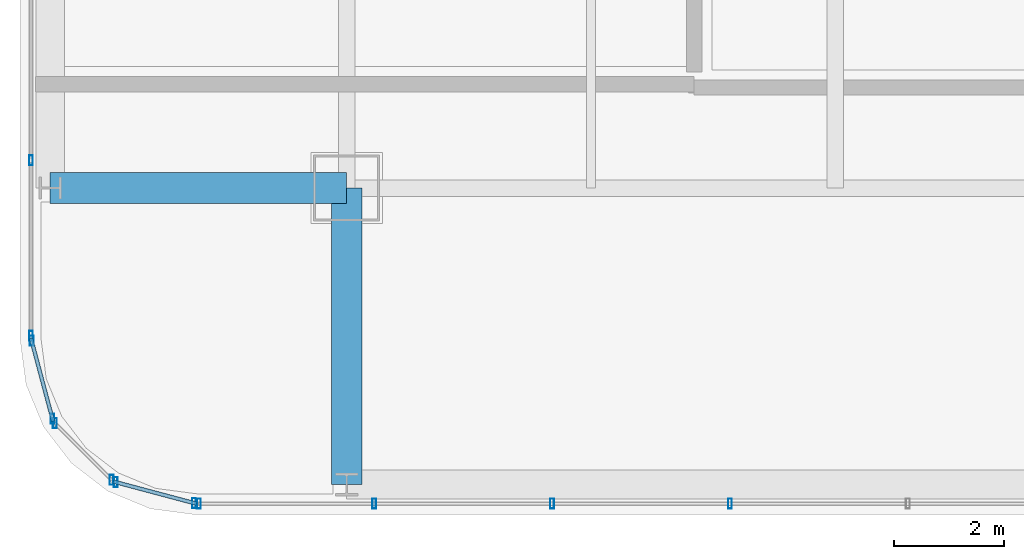
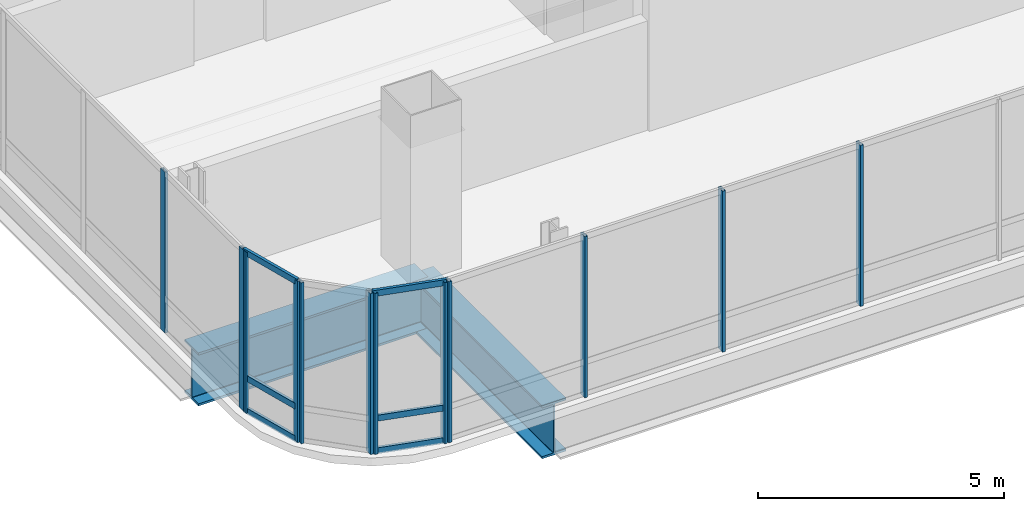
# One storey, part 2 of 42: 18 members, 2 beams, 5 elements without a shape of their own.
"""IFC4 building model written with IfcOpenShell, lengths in metres."""

from ifc_helpers import new_model, si_unit, direction, frame, origin, origin_2d, place, context, subcontext, project, spatial, hollow_rectangle, i_section, extrude, material, material_profile, profile_set, type_object, element, aggregate, save


model = new_model("IFC4")

# Units and contexts
model_context = context("Model", 3, precision=1e-05, world=origin(), true_north=direction((0.0, 1.0)))
body_context = subcontext(model_context, "Body", "Model", "MODEL_VIEW")
ifc_project = project(units=[si_unit("LENGTHUNIT", "METRE"), si_unit("AREAUNIT", "SQUARE_METRE"), si_unit("VOLUMEUNIT", "CUBIC_METRE"), si_unit("PLANEANGLEUNIT", "RADIAN"), si_unit("MASSUNIT", "GRAM", prefix="KILO")], contexts=[model_context])

# Site, building, storey
site_placement = place(None, origin())
site = spatial("IfcSite", under=ifc_project, at=site_placement, CompositionType="ELEMENT")
building_placement = place(site_placement, origin())
building = spatial("IfcBuilding", under=site, at=building_placement, Name="Punatoya Terracotta Tower", CompositionType="ELEMENT")
storey_placement = place(building_placement, frame((0.0, 0.0, 325.800048828125)))
storey = spatial("IfcBuildingStorey", under=building, at=storey_placement, Name="L77", CompositionType="ELEMENT", Elevation=325.800048828125)

# Beams
ifc_material_1 = material(Name="Steel S460", Category="steel")
ifc_material_profile_1 = material_profile(ifc_material_1, i_section(OverallWidth=0.56005859375, OverallDepth=1.320068359375, WebThickness=0.035888671875, FlangeThickness=0.054931640625, FilletRadius=0.01806640625, at=origin_2d()))
ifc_profile_set_1 = profile_set([ifc_material_profile_1], Name="Steel S460")
beam_type = type_object("IfcBeamType", Name="BM-TG-BLK", PredefinedType="BEAM", material=ifc_profile_set_1)
for number, where, z_axis, x_axis, name in (
    (1, (-24.5, -17.5, -0.860107421875), (1.0, 0.0, 0.0), (0.0, 1.0, 0.0), "BM-L77-CANT-W1"),
    (2, (-19.10009765625, -22.89990234375, -0.860107421875), (0.0, 1.0, 0.0), (-1.0, 0.0, 0.0), "BM-L77-CANT-S1"),
):
    element("IfcBeam", number, at=place(storey_placement, frame(where, z_axis=z_axis, x_axis=x_axis)), inside=storey, type_object=beam_type, Name=name, PredefinedType="BEAM", context=body_context, shape_type="SweptSolid", body=[
        extrude(i_section(OverallWidth=0.56005859375, OverallDepth=1.320068359375, WebThickness=0.035888671875, FlangeThickness=0.054931640625, FilletRadius=0.01806640625, at=origin_2d()), origin(), (0.0, 0.0, 1.0), 5.39990234375),
    ])

# Curtain wall, members
ifc_material_2 = material(Name="Aluminium 6063-T6 + Double Low-E Glass", Category="aluminium")
curtain_wall_type = type_object("IfcCurtainWallType", Name="CW-OBS", PredefinedType="NOTDEFINED", material=ifc_material_2)
curtain_wall_1_placement = place(storey_placement, origin())
curtain_wall_1 = element("IfcCurtainWall", 3, at=curtain_wall_1_placement, inside=storey, type_object=curtain_wall_type, Name="L77 Curtain Wall CW-L77-S01-1", PredefinedType="NOTDEFINED")
ifc_material_3 = material(Name="Aluminium 6063-T6", Category="aluminium")
ifc_material_profile_2 = material_profile(ifc_material_3, hollow_rectangle(XDim=0.070068359375, YDim=0.179931640625, WallThickness=0.00390625, at=origin_2d()))
ifc_profile_set_2 = profile_set([ifc_material_profile_2], Name="Aluminium 6063-T6")
member_type_1 = type_object("IfcMemberType", Name="CW-MUL-M3", PredefinedType="MULLION", material=ifc_profile_set_2)
member_1_placement = place(storey_placement, frame((-21.7919921875, -23.25, 0.0), z_axis=(0.0, 0.0, 1.0), x_axis=(1.0, 0.0, 0.0)))
member_1 = element("IfcMember", 4, at=member_1_placement, type_object=member_type_1, Name="CW-L77-S01-1 Mullion 00", PredefinedType="MULLION", context=body_context, shape_type="SweptSolid", body=[
    extrude(hollow_rectangle(XDim=0.070068359375, YDim=0.179931640625, WallThickness=0.00390625, at=origin_2d()), origin(), (0.0, 0.0, 1.0), 4.0),
])
member_2_placement = place(storey_placement, frame((-18.597412109375, -23.25, 0.0), z_axis=(0.0, 0.0, 1.0), x_axis=(1.0, 0.0, 0.0)))
member_2 = element("IfcMember", 5, at=member_2_placement, type_object=member_type_1, Name="CW-L77-S01-1 Mullion 01", PredefinedType="MULLION", context=body_context, shape_type="SweptSolid", body=[
    extrude(hollow_rectangle(XDim=0.070068359375, YDim=0.179931640625, WallThickness=0.00390625, at=origin_2d()), origin(), (0.0, 0.0, 1.0), 4.0),
])
member_3_placement = place(storey_placement, frame((-15.35791015625, -23.25, 0.0), z_axis=(0.0, 0.0, 1.0), x_axis=(1.0, 0.0, 0.0)))
member_3 = element("IfcMember", 6, at=member_3_placement, type_object=member_type_1, Name="CW-L77-S01-1 Mullion 02", PredefinedType="MULLION", context=body_context, shape_type="SweptSolid", body=[
    extrude(hollow_rectangle(XDim=0.070068359375, YDim=0.179931640625, WallThickness=0.00390625, at=origin_2d()), origin(), (0.0, 0.0, 1.0), 4.0),
])
member_4_placement = place(storey_placement, frame((-12.118408203125, -23.25, 0.0), z_axis=(0.0, 0.0, 1.0), x_axis=(1.0, 0.0, 0.0)))
member_4 = element("IfcMember", 7, at=member_4_placement, type_object=member_type_1, Name="CW-L77-S01-1 Mullion 03", PredefinedType="MULLION", context=body_context, shape_type="SweptSolid", body=[
    extrude(hollow_rectangle(XDim=0.070068359375, YDim=0.179931640625, WallThickness=0.00390625, at=origin_2d()), origin(), (0.0, 0.0, 1.0), 4.0),
])
aggregate(curtain_wall_1, [member_1, member_2, member_3, member_4])

curtain_wall_2_placement = place(storey_placement, origin())
curtain_wall_2 = element("IfcCurtainWall", 8, at=curtain_wall_2_placement, inside=storey, type_object=curtain_wall_type, Name="L77 Curtain Wall CW-L77-W13-1", PredefinedType="NOTDEFINED")
member_5_placement = place(storey_placement, frame((-24.85009765625, -16.993896484375, 0.0), z_axis=(0.0, 0.0, 1.0), x_axis=(1.0, 0.0, 0.0)))
member_5 = element("IfcMember", 9, at=member_5_placement, type_object=member_type_1, Name="CW-L77-W13-1 Mullion 10", PredefinedType="MULLION", context=body_context, shape_type="SweptSolid", body=[
    extrude(hollow_rectangle(XDim=0.070068359375, YDim=0.179931640625, WallThickness=0.00390625, at=origin_2d()), origin(), (0.0, 0.0, 1.0), 4.0),
])
member_6_placement = place(storey_placement, frame((-24.85009765625, -20.19189453125, 0.0), z_axis=(0.0, 0.0, 1.0), x_axis=(1.0, 0.0, 0.0)))
member_6 = element("IfcMember", 10, at=member_6_placement, type_object=member_type_1, Name="CW-L77-W13-1 Mullion 11", PredefinedType="MULLION", context=body_context, shape_type="SweptSolid", body=[
    extrude(hollow_rectangle(XDim=0.070068359375, YDim=0.179931640625, WallThickness=0.00390625, at=origin_2d()), origin(), (0.0, 0.0, 1.0), 4.0),
])
aggregate(curtain_wall_2, [member_5, member_6])

curtain_wall_3_placement = place(storey_placement, origin())
curtain_wall_3 = element("IfcCurtainWall", 11, at=curtain_wall_3_placement, inside=storey, type_object=curtain_wall_type, Name="L77 Curtain Wall CW-L77-CRN14", PredefinedType="NOTDEFINED")
member_7_placement = place(storey_placement, frame((-24.83837890625, -20.280517578125, 0.0), z_axis=(0.0, 0.0, 1.0), x_axis=(1.0, 0.0, 0.0)))
member_7 = element("IfcMember", 12, at=member_7_placement, type_object=member_type_1, Name="CW-L77-CRN14 Mullion 00", PredefinedType="MULLION", context=body_context, shape_type="SweptSolid", body=[
    extrude(hollow_rectangle(XDim=0.070068359375, YDim=0.179931640625, WallThickness=0.00390625, at=origin_2d()), origin(), (0.0, 0.0, 1.0), 4.0),
])
member_8_placement = place(storey_placement, frame((-24.458251953125, -21.70556640625, 0.0), z_axis=(0.0, 0.0, 1.0), x_axis=(1.0, 0.0, 0.0)))
member_8 = element("IfcMember", 13, at=member_8_placement, type_object=member_type_1, Name="CW-L77-CRN14 Mullion 01", PredefinedType="MULLION", context=body_context, shape_type="SweptSolid", body=[
    extrude(hollow_rectangle(XDim=0.070068359375, YDim=0.179931640625, WallThickness=0.00390625, at=origin_2d()), origin(), (0.0, 0.0, 1.0), 4.0),
])

curtain_wall_4_placement = place(storey_placement, origin())
curtain_wall_4 = element("IfcCurtainWall", 14, at=curtain_wall_4_placement, inside=storey, type_object=curtain_wall_type, Name="L77 Curtain Wall CW-L77-CRN15", PredefinedType="NOTDEFINED")
member_9_placement = place(storey_placement, frame((-24.414794921875, -21.781005859375, 0.0), z_axis=(0.0, 0.0, 1.0), x_axis=(1.0, 0.0, 0.0)))
member_9 = element("IfcMember", 15, at=member_9_placement, type_object=member_type_1, Name="CW-L77-CRN15 Mullion 00", PredefinedType="MULLION", context=body_context, shape_type="SweptSolid", body=[
    extrude(hollow_rectangle(XDim=0.070068359375, YDim=0.179931640625, WallThickness=0.00390625, at=origin_2d()), origin(), (0.0, 0.0, 1.0), 4.0),
])
member_10_placement = place(storey_placement, frame((-23.380859375, -22.814697265625, 0.0), z_axis=(0.0, 0.0, 1.0), x_axis=(1.0, 0.0, 0.0)))
member_10 = element("IfcMember", 16, at=member_10_placement, type_object=member_type_1, Name="CW-L77-CRN15 Mullion 01", PredefinedType="MULLION", context=body_context, shape_type="SweptSolid", body=[
    extrude(hollow_rectangle(XDim=0.070068359375, YDim=0.179931640625, WallThickness=0.00390625, at=origin_2d()), origin(), (0.0, 0.0, 1.0), 4.0),
])
aggregate(curtain_wall_4, [member_9, member_10])

curtain_wall_5_placement = place(storey_placement, origin())
curtain_wall_5 = element("IfcCurtainWall", 17, at=curtain_wall_5_placement, inside=storey, type_object=curtain_wall_type, Name="L77 Curtain Wall CW-L77-CRN16", PredefinedType="NOTDEFINED")
member_11_placement = place(storey_placement, frame((-23.3056640625, -22.858154296875, 0.0), z_axis=(0.0, 0.0, 1.0), x_axis=(1.0, 0.0, 0.0)))
member_11 = element("IfcMember", 18, at=member_11_placement, type_object=member_type_1, Name="CW-L77-CRN16 Mullion 00", PredefinedType="MULLION", context=body_context, shape_type="SweptSolid", body=[
    extrude(hollow_rectangle(XDim=0.070068359375, YDim=0.179931640625, WallThickness=0.00390625, at=origin_2d()), origin(), (0.0, 0.0, 1.0), 4.0),
])
member_12_placement = place(storey_placement, frame((-21.88037109375, -23.23828125, 0.0), z_axis=(0.0, 0.0, 1.0), x_axis=(1.0, 0.0, 0.0)))
member_12 = element("IfcMember", 19, at=member_12_placement, type_object=member_type_1, Name="CW-L77-CRN16 Mullion 01", PredefinedType="MULLION", context=body_context, shape_type="SweptSolid", body=[
    extrude(hollow_rectangle(XDim=0.070068359375, YDim=0.179931640625, WallThickness=0.00390625, at=origin_2d()), origin(), (0.0, 0.0, 1.0), 4.0),
])

# Member
ifc_material_profile_3 = material_profile(ifc_material_3, hollow_rectangle(XDim=0.068115234375, YDim=0.14990234375, WallThickness=0.00390625, at=origin_2d()))
ifc_profile_set_3 = profile_set([ifc_material_profile_3], Name="Aluminium 6063-T6")
member_type_2 = type_object("IfcMemberType", Name="CW-TRN-TYP", PredefinedType="USERDEFINED", material=ifc_profile_set_3)
member_13_placement = place(storey_placement, frame((-24.85009765625, -20.23681640625, 0.0400390625), z_axis=(0.257847112249, -0.966185730957, 0.0), x_axis=(0.966185730957, 0.257847112249, 0.0)))
member_13 = element("IfcMember", 20, at=member_13_placement, type_object=member_type_2, Name="CW-L77-CRN14 Transom 1", ObjectType="TRANSOM", PredefinedType="USERDEFINED", context=body_context, shape_type="SweptSolid", body=[
    extrude(hollow_rectangle(XDim=0.068115234375, YDim=0.14990234375, WallThickness=0.00390625, at=origin_2d()), origin(), (0.0, 0.0, 1.0), 1.565185546875),
])

member_14_placement = place(storey_placement, frame((-24.85009765625, -20.23681640625, 0.849853515625), z_axis=(0.257847112249, -0.966185730957, 0.0), x_axis=(0.966185730957, 0.257847112249, 0.0)))
member_14 = element("IfcMember", 21, at=member_14_placement, type_object=member_type_2, Name="CW-L77-CRN14 Transom 2", ObjectType="TRANSOM", PredefinedType="USERDEFINED", context=body_context, shape_type="SweptSolid", body=[
    extrude(hollow_rectangle(XDim=0.068115234375, YDim=0.14990234375, WallThickness=0.00390625, at=origin_2d()), origin(), (0.0, 0.0, 1.0), 1.565185546875),
])

member_15_placement = place(storey_placement, frame((-24.85009765625, -20.23681640625, 3.9599609375), z_axis=(0.257847112249, -0.966185730957, 0.0), x_axis=(0.966185730957, 0.257847112249, 0.0)))
member_15 = element("IfcMember", 22, at=member_15_placement, type_object=member_type_2, Name="CW-L77-CRN14 Transom 3", ObjectType="TRANSOM", PredefinedType="USERDEFINED", context=body_context, shape_type="SweptSolid", body=[
    extrude(hollow_rectangle(XDim=0.068115234375, YDim=0.14990234375, WallThickness=0.00390625, at=origin_2d()), origin(), (0.0, 0.0, 1.0), 1.565185546875),
])

aggregate(curtain_wall_3, [member_7, member_8, member_13, member_14, member_15])

member_16_placement = place(storey_placement, frame((-23.34912109375, -22.8466796875, 0.0400390625), z_axis=(0.966224582397, -0.257701486942, 0.0), x_axis=(0.257701486942, 0.966224582397, 0.0)))
member_16 = element("IfcMember", 23, at=member_16_placement, type_object=member_type_2, Name="CW-L77-CRN16 Transom 1", ObjectType="TRANSOM", PredefinedType="USERDEFINED", context=body_context, shape_type="SweptSolid", body=[
    extrude(hollow_rectangle(XDim=0.068115234375, YDim=0.14990234375, WallThickness=0.00390625, at=origin_2d()), origin(), (0.0, 0.0, 1.0), 1.565185546875),
])

member_17_placement = place(storey_placement, frame((-23.34912109375, -22.8466796875, 0.849853515625), z_axis=(0.966224582397, -0.257701486942, 0.0), x_axis=(0.257701486942, 0.966224582397, 0.0)))
member_17 = element("IfcMember", 24, at=member_17_placement, type_object=member_type_2, Name="CW-L77-CRN16 Transom 2", ObjectType="TRANSOM", PredefinedType="USERDEFINED", context=body_context, shape_type="SweptSolid", body=[
    extrude(hollow_rectangle(XDim=0.068115234375, YDim=0.14990234375, WallThickness=0.00390625, at=origin_2d()), origin(), (0.0, 0.0, 1.0), 1.565185546875),
])

member_18_placement = place(storey_placement, frame((-23.34912109375, -22.8466796875, 3.9599609375), z_axis=(0.966224582397, -0.257701486942, 0.0), x_axis=(0.257701486942, 0.966224582397, 0.0)))
member_18 = element("IfcMember", 25, at=member_18_placement, type_object=member_type_2, Name="CW-L77-CRN16 Transom 3", ObjectType="TRANSOM", PredefinedType="USERDEFINED", context=body_context, shape_type="SweptSolid", body=[
    extrude(hollow_rectangle(XDim=0.068115234375, YDim=0.14990234375, WallThickness=0.00390625, at=origin_2d()), origin(), (0.0, 0.0, 1.0), 1.565185546875),
])

aggregate(curtain_wall_5, [member_11, member_12, member_16, member_17, member_18])

save(model, "model.ifc")
